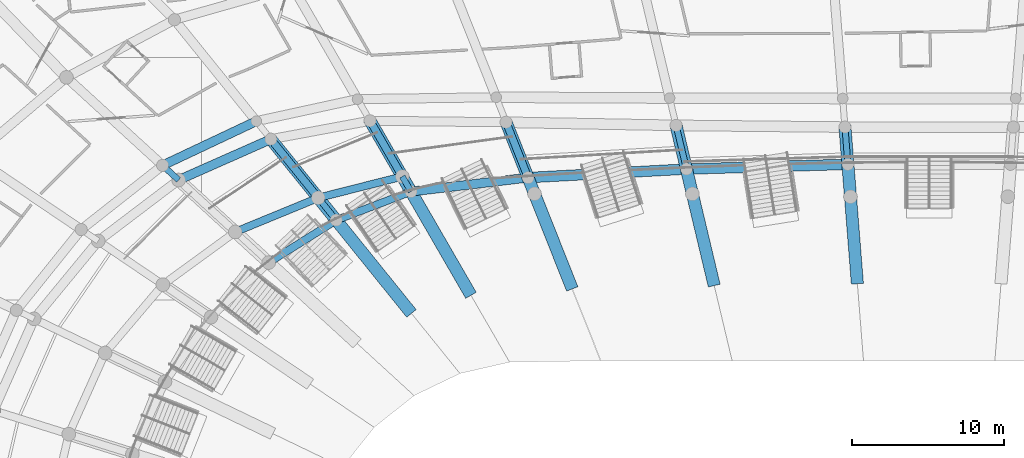
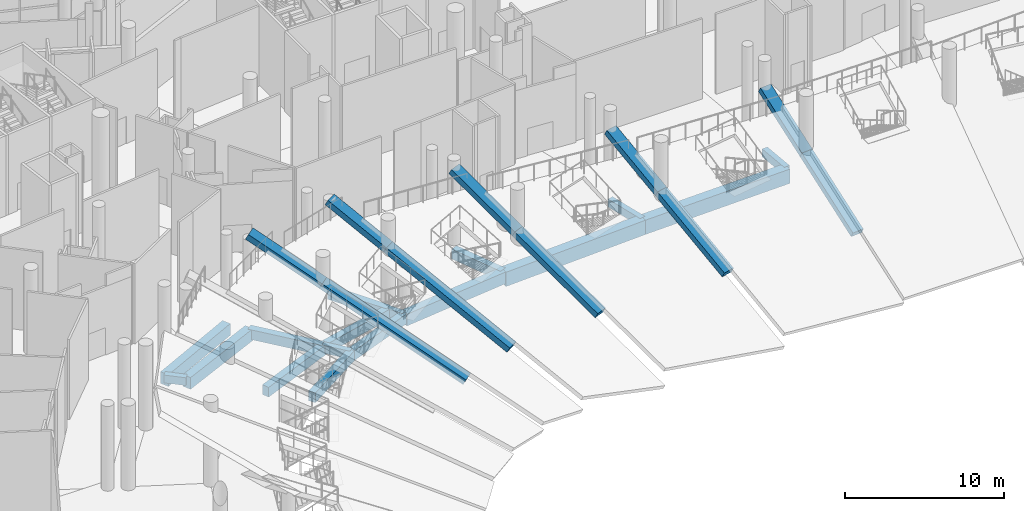
# One storey, part 48 of 255: 27 beams.
"""IFC4 building model written with IfcOpenShell, lengths in metres."""

from ifc_helpers import new_model, si_unit, direction, frame, origin, origin_2d, place, context, subcontext, project, spatial, rectangle, extrude, material, material_profile, profile_set, type_object, element, save


model = new_model("IFC4")

# Units and contexts
model_context = context("Model", 3, precision=1e-05, world=origin(), true_north=direction((0.0, 1.0)))
body_context = subcontext(model_context, "Body", "Model", "MODEL_VIEW")
ifc_project = project(units=[si_unit("LENGTHUNIT", "METRE"), si_unit("AREAUNIT", "SQUARE_METRE"), si_unit("VOLUMEUNIT", "CUBIC_METRE"), si_unit("PLANEANGLEUNIT", "RADIAN"), si_unit("MASSUNIT", "GRAM", prefix="KILO")], contexts=[model_context])

# Site, building, storey
site_placement = place(None, origin())
site = spatial("IfcSite", under=ifc_project, at=site_placement, CompositionType="ELEMENT")
building_placement = place(site_placement, origin())
building = spatial("IfcBuilding", under=site, at=building_placement, Name="Meseta Stadium", CompositionType="ELEMENT")
storey_placement = place(building_placement, origin())
storey = spatial("IfcBuildingStorey", under=building, at=storey_placement, Name="L00", CompositionType="ELEMENT", Elevation=0.0)

# Beams
ifc_material_1 = material(Name="Concrete C40/50", Category="concrete")
ifc_material_profile_1 = material_profile(ifc_material_1, rectangle(XDim=0.39990234375, YDim=0.60009765625, at=origin_2d()), Name="RC 400x600")
ifc_profile_set_1 = profile_set([ifc_material_profile_1], Name="Concrete C40/50")
beam_type_1 = type_object("IfcBeamType", Name="RC beam 400x600", PredefinedType="BEAM", material=ifc_profile_set_1)
beam_1_placement = place(storey_placement, frame((-5.36181640625, 72.959228515625, -0.699951171875), z_axis=(-0.079091287257, 0.996867377478, 0.0), x_axis=(-0.996867377478, -0.079091287257, 0.0)))
element("IfcBeam", 1, at=beam_1_placement, inside=storey, type_object=beam_type_1, Name="L00 radial beam frame 19 line B to C", PredefinedType="BEAM", context=body_context, shape_type="SweptSolid", body=[
    extrude(rectangle(XDim=0.39990234375, YDim=0.60009765625, at=origin_2d()), origin(), (0.0, 0.0, 1.0), 2.46337890625),
])
beam_2_placement = place(storey_placement, frame((-16.010986328125, 72.646484375, -0.699951171875), z_axis=(-0.231665078312, 0.972795606225, 0.0), x_axis=(-0.972795606225, -0.231665078312, 0.0)))
element("IfcBeam", 2, at=beam_2_placement, inside=storey, type_object=beam_type_1, Name="L00 radial beam frame 20 line B to C", PredefinedType="BEAM", context=body_context, shape_type="SweptSolid", body=[
    extrude(rectangle(XDim=0.39990234375, YDim=0.60009765625, at=origin_2d()), origin(), (0.0, 0.0, 1.0), 2.96337890625),
])
beam_3_placement = place(storey_placement, frame((-34.185302734375, 71.16064453125, -0.699951171875), z_axis=(-0.500408466565, 0.865789447031, 0.0), x_axis=(-0.865789447031, -0.500408466565, 0.0)))
element("IfcBeam", 3, at=beam_3_placement, inside=storey, type_object=beam_type_1, Name="L00 radial beam frame 22 line B to U", PredefinedType="BEAM", context=body_context, shape_type="SweptSolid", body=[
    extrude(rectangle(XDim=0.39990234375, YDim=0.60009765625, at=origin_2d()), origin(), (0.0, 0.0, 1.0), 1.14990234375),
])
beam_4_placement = place(storey_placement, frame((-39.11865234375, 69.274658203125, -0.699951171875), z_axis=(-0.628006940143, 0.778207737775, 0.0), x_axis=(-0.778207737775, -0.628006940143, 0.0)))
element("IfcBeam", 4, at=beam_4_placement, inside=storey, type_object=beam_type_1, Name="L00 radial beam frame 23 line B to U", PredefinedType="BEAM", context=body_context, shape_type="SweptSolid", body=[
    extrude(rectangle(XDim=0.39990234375, YDim=0.60009765625, at=origin_2d()), origin(), (0.0, 0.0, 1.0), 1.8935546875),
])
beam_5_placement = place(storey_placement, frame((-49.518310546875, 71.924560546875, -0.699951171875), z_axis=(-0.737537238319, 0.675306465313, 0.0), x_axis=(-0.675306465313, -0.737537238319, 0.0)))
element("IfcBeam", 5, at=beam_5_placement, inside=storey, type_object=beam_type_1, Name="L00 radial beam frame 24 line C to D", PredefinedType="BEAM", context=body_context, shape_type="SweptSolid", body=[
    extrude(rectangle(XDim=0.39990234375, YDim=0.60009765625, at=origin_2d()), origin(), (0.0, 0.0, 1.0), 1.427978515625),
])
ifc_material_2 = material(Name="Concrete C40/50", Category="concrete")
ifc_material_profile_2 = material_profile(ifc_material_2, rectangle(XDim=0.5, YDim=0.75, at=origin_2d()), Name="RC 500x750")
ifc_profile_set_2 = profile_set([ifc_material_profile_2], Name="Concrete C40/50")
beam_type_2 = type_object("IfcBeamType", Name="RC beam 500x750", PredefinedType="BEAM", material=ifc_profile_set_2)
beam_6_placement = place(storey_placement, frame((-34.185302734375, 71.16064453125, -0.77490234375), z_axis=(-0.934070428282, -0.357088833497, 0.0), x_axis=(0.357088833497, -0.934070428282, 0.0)))
element("IfcBeam", 6, at=beam_6_placement, inside=storey, type_object=beam_type_2, Name="L00 ring beam frame 22 line B", PredefinedType="BEAM", context=body_context, shape_type="SweptSolid", body=[
    extrude(rectangle(XDim=0.5, YDim=0.75, at=origin_2d()), origin(), (0.0, 0.0, 1.0), 5.281494140625),
])
beam_7_placement = place(storey_placement, frame((-34.7607421875, 72.15625, -0.77490234375), z_axis=(-0.969265492961, -0.246017081022, 0.0), x_axis=(0.246017081022, -0.969265492961, 0.0)))
element("IfcBeam", 7, at=beam_7_placement, inside=storey, type_object=beam_type_2, Name="L00 ring beam frame 22 line U", PredefinedType="BEAM", context=body_context, shape_type="SweptSolid", body=[
    extrude(rectangle(XDim=0.5, YDim=0.75, at=origin_2d()), origin(), (0.0, 0.0, 1.0), 5.722900390625),
])
beam_8_placement = place(storey_placement, frame((-39.11865234375, 69.274658203125, -0.77490234375), z_axis=(-0.846780026323, -0.531943217853, 0.0), x_axis=(0.531943217853, -0.846780026323, 0.0)))
element("IfcBeam", 8, at=beam_8_placement, inside=storey, type_object=beam_type_2, Name="L00 ring beam frame 23 line B", PredefinedType="BEAM", context=body_context, shape_type="SweptSolid", body=[
    extrude(rectangle(XDim=0.5, YDim=0.75, at=origin_2d()), origin(), (0.0, 0.0, 1.0), 5.256103515625),
])
beam_9_placement = place(storey_placement, frame((-40.307861328125, 70.748291015625, -0.77490234375), z_axis=(-0.924886587788, -0.380243079793, 0.0), x_axis=(0.380243079793, -0.924886587788, 0.0)))
element("IfcBeam", 9, at=beam_9_placement, inside=storey, type_object=beam_type_2, Name="L00 ring beam frame 23 line U", PredefinedType="BEAM", context=body_context, shape_type="SweptSolid", body=[
    extrude(rectangle(XDim=0.5, YDim=0.75, at=origin_2d()), origin(), (0.0, 0.0, 1.0), 5.913330078125),
])
beam_10_placement = place(storey_placement, frame((-26.461669921875, 72.08349609375, -0.77490234375), z_axis=(-0.368839555562, 0.929493078109, 0.0), x_axis=(-0.929493078109, -0.368839555562, 0.0)))
element("IfcBeam", 10, at=beam_10_placement, inside=storey, type_object=beam_type_2, Name="L00 radial beam frame 21 line B to C", PredefinedType="BEAM", context=body_context, shape_type="SweptSolid", body=[
    extrude(rectangle(XDim=0.5, YDim=0.75, at=origin_2d()), origin(), (0.0, 0.0, 1.0), 3.92919921875),
])
beam_11_placement = place(storey_placement, frame((-34.7607421875, 72.15625, -0.77490234375), z_axis=(-0.500435623827, 0.865773750125, 0.0), x_axis=(-0.865773750125, -0.500435623827, 0.0)))
element("IfcBeam", 11, at=beam_11_placement, inside=storey, type_object=beam_type_2, Name="L00 radial beam frame 22 line U to C", PredefinedType="BEAM", context=body_context, shape_type="SweptSolid", body=[
    extrude(rectangle(XDim=0.5, YDim=0.75, at=origin_2d()), origin(), (0.0, 0.0, 1.0), 4.246826171875),
])
beam_12_placement = place(storey_placement, frame((-40.307861328125, 70.748291015625, -0.77490234375), z_axis=(-0.62803074545, 0.778188526496, 0.0), x_axis=(-0.778188526496, -0.62803074545, 0.0)))
element("IfcBeam", 12, at=beam_12_placement, inside=storey, type_object=beam_type_2, Name="L00 radial beam frame 23 line U to C", PredefinedType="BEAM", context=body_context, shape_type="SweptSolid", body=[
    extrude(rectangle(XDim=0.5, YDim=0.75, at=origin_2d()), origin(), (0.0, 0.0, 1.0), 4.971923828125),
])
ifc_material_3 = material(Name="Concrete C40/50", Category="concrete")
ifc_material_profile_3 = material_profile(ifc_material_3, rectangle(XDim=0.60009765625, YDim=0.89990234375, at=origin_2d()), Name="RC 600x900")
ifc_profile_set_3 = profile_set([ifc_material_profile_3], Name="Concrete C40/50")
beam_type_3 = type_object("IfcBeamType", Name="RC beam 600x900", PredefinedType="BEAM", material=ifc_profile_set_3)
beam_13_placement = place(storey_placement, frame((-26.461669921875, 72.08349609375, -0.85009765625), z_axis=(-0.992937304474, -0.118640251957, 0.0), x_axis=(0.118640251957, -0.992937304474, 0.0)))
element("IfcBeam", 13, at=beam_13_placement, inside=storey, type_object=beam_type_3, Name="L00 ring beam frame 21 line B", PredefinedType="BEAM", context=body_context, shape_type="SweptSolid", body=[
    extrude(rectangle(XDim=0.60009765625, YDim=0.89990234375, at=origin_2d()), origin(), (0.0, 0.0, 1.0), 7.778564453125),
])
beam_14_placement = place(storey_placement, frame((-43.430419921875, 74.617431640625, -0.85009765625), z_axis=(-0.914526988421, -0.404524891013, 0.0), x_axis=(0.404524891013, -0.914526988421, 0.0)))
element("IfcBeam", 14, at=beam_14_placement, inside=storey, type_object=beam_type_3, Name="L00 ring beam frame 23 line C", PredefinedType="BEAM", context=body_context, shape_type="SweptSolid", body=[
    extrude(rectangle(XDim=0.60009765625, YDim=0.89990234375, at=origin_2d()), origin(), (0.0, 0.0, 1.0), 6.656982421875),
])
beam_15_placement = place(storey_placement, frame((-44.389892578125, 75.806396484375, -0.85009765625), z_axis=(-0.904340564666, -0.426811601412, 0.0), x_axis=(0.426811601412, -0.904340564666, 0.0)))
element("IfcBeam", 15, at=beam_15_placement, inside=storey, type_object=beam_type_3, Name="L00 ring beam frame 23 line D", PredefinedType="BEAM", context=body_context, shape_type="SweptSolid", body=[
    extrude(rectangle(XDim=0.60009765625, YDim=0.89990234375, at=origin_2d()), origin(), (0.0, 0.0, 1.0), 6.83544921875),
])
ifc_material_4 = material(Name="Concrete C40/50", Category="concrete")
ifc_material_profile_4 = material_profile(ifc_material_4, rectangle(XDim=0.699951171875, YDim=1.10009765625, at=origin_2d()), Name="RC 700x1100")
ifc_profile_set_4 = profile_set([ifc_material_profile_4], Name="Concrete C40/50")
beam_type_4 = type_object("IfcBeamType", Name="RC beam 700x1100", PredefinedType="BEAM", material=ifc_profile_set_4)
beam_16_placement = place(storey_placement, frame((-5.36181640625, 72.959228515625, -0.949951171875), z_axis=(-0.999569040917, -0.029355279612, 0.0), x_axis=(0.029355279612, -0.999569040917, 0.0)))
element("IfcBeam", 16, at=beam_16_placement, inside=storey, type_object=beam_type_4, Name="L00 ring beam frame 19 line B", PredefinedType="BEAM", context=body_context, shape_type="SweptSolid", body=[
    extrude(rectangle(XDim=0.699951171875, YDim=1.10009765625, at=origin_2d()), origin(), (0.0, 0.0, 1.0), 10.65380859375),
])
beam_17_placement = place(storey_placement, frame((-16.010986328125, 72.646484375, -0.949951171875), z_axis=(-0.998552110885, -0.053792953504, 0.0), x_axis=(0.053792953504, -0.998552110885, 0.0)))
element("IfcBeam", 17, at=beam_17_placement, inside=storey, type_object=beam_type_4, Name="L00 ring beam frame 20 line B", PredefinedType="BEAM", context=body_context, shape_type="SweptSolid", body=[
    extrude(rectangle(XDim=0.699951171875, YDim=1.10009765625, at=origin_2d()), origin(), (0.0, 0.0, 1.0), 10.4658203125),
])
ifc_material_5 = material(Name="Concrete C40/50", Category="concrete")
ifc_material_profile_5 = material_profile(ifc_material_5, rectangle(XDim=0.800048828125, YDim=0.449951171875, at=origin_2d()), Name="RC 800x450")
ifc_profile_set_5 = profile_set([ifc_material_profile_5], Name="Concrete C40/50")
beam_type_5 = type_object("IfcBeamType", Name="RC raker lower 800x450", PredefinedType="USERDEFINED", material=ifc_profile_set_5)
beam_18_placement = place(storey_placement, frame((-4.74462890625, 65.18359375, -1.001708984375), z_axis=(-0.070539823513, 0.888632542225, 0.453162595762), x_axis=(-0.996864204144, -0.079131273823, 0.0)))
element("IfcBeam", 18, at=beam_18_placement, inside=storey, type_object=beam_type_5, Name="Raker lower frame 19 lower tier", ObjectType="RAKER", PredefinedType="USERDEFINED", context=body_context, shape_type="SweptSolid", body=[
    extrude(rectangle(XDim=0.800048828125, YDim=0.449951171875, at=origin_2d()), origin(), (0.0, 0.0, 1.0), 6.347412109375),
])
beam_19_placement = place(storey_placement, frame((-5.1923828125, 70.82421875, 1.874755859375), z_axis=(-0.070510288867, 0.888609223564, 0.453212915704), x_axis=(-0.99686665348, -0.079100412008, 0.0)))
element("IfcBeam", 19, at=beam_19_placement, inside=storey, type_object=beam_type_5, Name="Raker lower frame 19 lower tier", ObjectType="RAKER", PredefinedType="USERDEFINED", context=body_context, shape_type="SweptSolid", body=[
    extrude(rectangle(XDim=0.800048828125, YDim=0.449951171875, at=origin_2d()), origin(), (0.0, 0.0, 1.0), 5.166015625),
])
beam_20_placement = place(storey_placement, frame((-14.204345703125, 65.05859375, -0.65478515625), z_axis=(-0.206461177483, 0.867115598416, 0.453303784647), x_axis=(-0.972804929857, -0.231625923517, 0.0)))
element("IfcBeam", 20, at=beam_20_placement, inside=storey, type_object=beam_type_5, Name="Raker lower frame 20 lower tier", ObjectType="RAKER", PredefinedType="USERDEFINED", context=body_context, shape_type="SweptSolid", body=[
    extrude(rectangle(XDim=0.800048828125, YDim=0.449951171875, at=origin_2d()), origin(), (0.0, 0.0, 1.0), 6.862060546875),
])
beam_21_placement = place(storey_placement, frame((-15.62109375, 71.0087890625, 2.455810546875), z_axis=(-0.206482744858, 0.867143230619, 0.453241098829), x_axis=(-0.972801141001, -0.231641835746, 0.0)))
element("IfcBeam", 21, at=beam_21_placement, inside=storey, type_object=beam_type_5, Name="Raker lower frame 20 lower tier", ObjectType="RAKER", PredefinedType="USERDEFINED", context=body_context, shape_type="SweptSolid", body=[
    extrude(rectangle(XDim=0.800048828125, YDim=0.449951171875, at=origin_2d()), origin(), (0.0, 0.0, 1.0), 5.213134765625),
])
beam_22_placement = place(storey_placement, frame((-23.584716796875, 64.83349609375, -0.331298828125), z_axis=(-0.328763872797, 0.828437838917, 0.453436944894), x_axis=(-0.929483518475, -0.368863645381, 0.0)))
element("IfcBeam", 22, at=beam_22_placement, inside=storey, type_object=beam_type_5, Name="Raker lower frame 21 lower tier", ObjectType="RAKER", PredefinedType="USERDEFINED", context=body_context, shape_type="SweptSolid", body=[
    extrude(rectangle(XDim=0.800048828125, YDim=0.449951171875, at=origin_2d()), origin(), (0.0, 0.0, 1.0), 7.4609375),
])
beam_23_placement = place(storey_placement, frame((-26.03759765625, 71.014404296875, 3.0517578125), z_axis=(-0.32871917262, 0.82845971069, 0.453429391764), x_axis=(-0.929504050657, -0.368811903025, 0.0)))
element("IfcBeam", 23, at=beam_23_placement, inside=storey, type_object=beam_type_5, Name="Raker lower frame 21 lower tier", ObjectType="RAKER", PredefinedType="USERDEFINED", context=body_context, shape_type="SweptSolid", body=[
    extrude(rectangle(XDim=0.800048828125, YDim=0.449951171875, at=origin_2d()), origin(), (0.0, 0.0, 1.0), 5.69873046875),
])
beam_24_placement = place(storey_placement, frame((-30.28173828125, 64.40771484375, -0.35009765625), z_axis=(-0.446051134822, 0.771654361549, 0.453418053706), x_axis=(-0.865764748556, -0.500451196579, 0.0)))
element("IfcBeam", 24, at=beam_24_placement, inside=storey, type_object=beam_type_5, Name="Raker lower frame 22 lower tier", ObjectType="RAKER", PredefinedType="USERDEFINED", context=body_context, shape_type="SweptSolid", body=[
    extrude(rectangle(XDim=0.800048828125, YDim=0.449951171875, at=origin_2d()), origin(), (0.0, 0.0, 1.0), 10.04150390625),
])
beam_25_placement = place(storey_placement, frame((-34.7607421875, 72.15625, 4.202880859375), z_axis=(-0.446037730882, 0.771663208165, 0.453416183868), x_axis=(-0.865773750125, -0.500435623827, 0.0)))
element("IfcBeam", 25, at=beam_25_placement, inside=storey, type_object=beam_type_5, Name="Raker lower frame 22 lower tier", ObjectType="RAKER", PredefinedType="USERDEFINED", context=body_context, shape_type="SweptSolid", body=[
    extrude(rectangle(XDim=0.800048828125, YDim=0.449951171875, at=origin_2d()), origin(), (0.0, 0.0, 1.0), 4.7646484375),
])
beam_26_placement = place(storey_placement, frame((-34.219970703125, 63.204833984375, -0.68359375), z_axis=(-0.559800472528, 0.693644329491, 0.453300093892), x_axis=(-0.778188287277, -0.628031041865, 0.0)))
element("IfcBeam", 26, at=beam_26_placement, inside=storey, type_object=beam_type_5, Name="Raker lower frame 23 lower tier", ObjectType="RAKER", PredefinedType="USERDEFINED", context=body_context, shape_type="SweptSolid", body=[
    extrude(rectangle(XDim=0.800048828125, YDim=0.449951171875, at=origin_2d()), origin(), (0.0, 0.0, 1.0), 10.875),
])
beam_27_placement = place(storey_placement, frame((-40.307861328125, 70.748291015625, 4.24609375), z_axis=(-0.559786273019, 0.693627275591, 0.453343722903), x_axis=(-0.778188526496, -0.62803074545, 0.0)))
element("IfcBeam", 27, at=beam_27_placement, inside=storey, type_object=beam_type_5, Name="Raker lower frame 23 lower tier", ObjectType="RAKER", PredefinedType="USERDEFINED", context=body_context, shape_type="SweptSolid", body=[
    extrude(rectangle(XDim=0.800048828125, YDim=0.449951171875, at=origin_2d()), origin(), (0.0, 0.0, 1.0), 5.578125),
])

save(model, "model.ifc")
